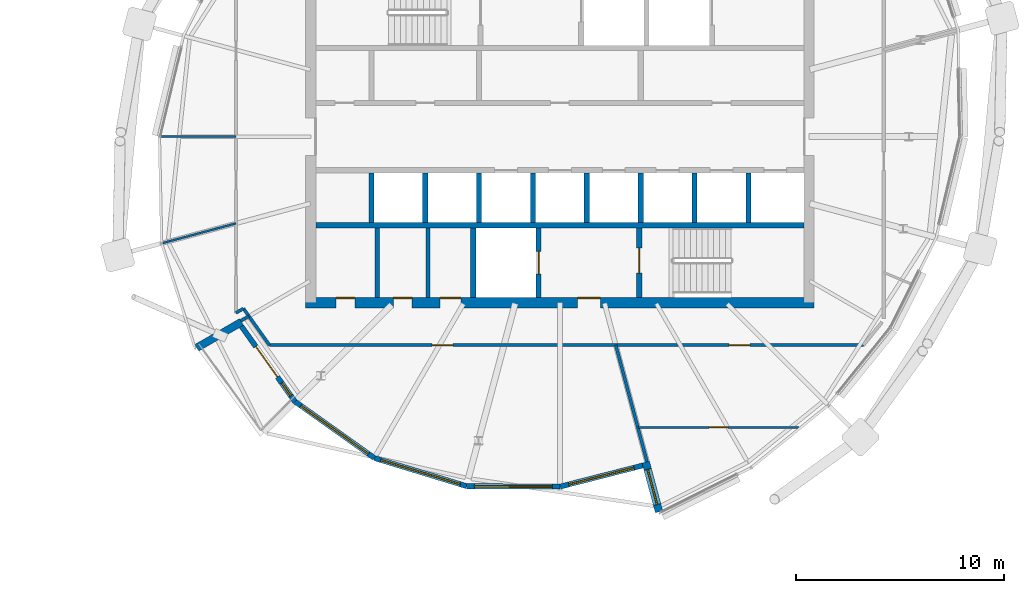
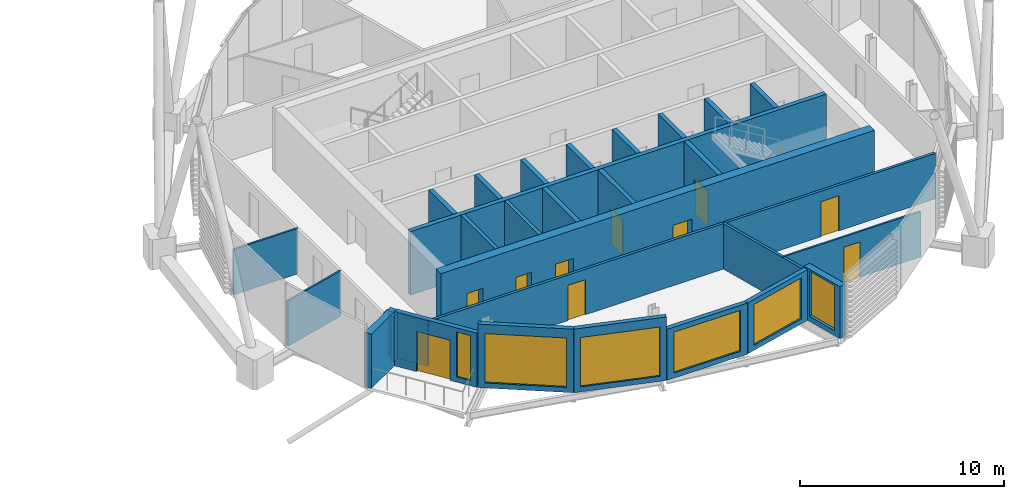
# One storey, part 22 of 32: 30 walls, 10 doors, 6 windows, 16 openings.
"""IFC4 building model written with IfcOpenShell, lengths in metres."""

from ifc_helpers import new_model, si_unit, direction, frame, frame_2d, origin, place, context, subcontext, project, spatial, rectangle, extrude, material, layer, layer_set, type_object, element, fill, save


model = new_model("IFC4")

# Units and contexts
model_context = context("Model", 3, precision=1e-05, world=origin(), true_north=direction((0.0, 1.0)))
body_context = subcontext(model_context, "Body", "Model", "MODEL_VIEW")
ifc_project = project(units=[si_unit("LENGTHUNIT", "METRE"), si_unit("AREAUNIT", "SQUARE_METRE"), si_unit("VOLUMEUNIT", "CUBIC_METRE"), si_unit("PLANEANGLEUNIT", "RADIAN"), si_unit("MASSUNIT", "GRAM", prefix="KILO")], contexts=[model_context])

# Site, building, storey
site_placement = place(None, origin())
site = spatial("IfcSite", under=ifc_project, at=site_placement, CompositionType="ELEMENT")
building_placement = place(site_placement, origin())
building = spatial("IfcBuilding", under=site, at=building_placement, Name="Rimbun Link Towers", CompositionType="ELEMENT")
storey_placement = place(building_placement, frame((0.0, 0.0, 233.300048828125)))
storey = spatial("IfcBuildingStorey", under=building, at=storey_placement, Name="L57", CompositionType="ELEMENT", Elevation=233.300048828125)

# Wall, openings, door, window
ifc_material_1 = material(Name="Dark enamelled glass spandrel on insulated aluminium backpan", Category="aluminium")
ifc_layer_1 = layer(ifc_material_1, 0.25)
ifc_layer_set_1 = layer_set([ifc_layer_1], Name="CS dark enamelled spandrel wall 250")
wall_type_1 = type_object("IfcWallType", Name="CS dark enamelled spandrel wall 250", PredefinedType="STANDARD", material=ifc_layer_set_1)
wall_1_placement = place(storey_placement, frame((18.9853515625, -12.7646484375, 0.0), z_axis=(0.0, 0.0, 1.0), x_axis=(-0.579349370763, 0.81507932534, 0.0)))
wall_1 = element("IfcWall", 1, at=wall_1_placement, inside=storey, type_object=wall_type_1, Name="Crease spandrel wall", PredefinedType="STANDARD", context=body_context, shape_type="SweptSolid", body=[
    extrude(rectangle(XDim=4.442138671875, YDim=0.25, at=frame_2d((2.22119140625, 0.0))), origin(), (0.0, 0.0, 1.0), 3.24365234375),
])
opening_1_placement = place(wall_1_placement, frame((0.3505859375, 0.0, 0.300048828125)))
opening_1 = element("IfcOpeningElement", 2, at=opening_1_placement, cuts=wall_1, Name="Opening WR08H270", PredefinedType="OPENING", context=body_context, shape_type="SweptSolid", body=[
    extrude(rectangle(XDim=0.75, YDim=2.699951171875, at=frame_2d((0.375, 1.35009765625))), frame((0.0, 0.135009765625, 0.0), z_axis=(0.0, -1.0, 0.0), x_axis=(1.0, 0.0, 0.0)), (0.0, 0.0, 1.0), 0.27001953125),
])
opening_2_placement = place(wall_1_placement, frame((1.451171875, 0.0, 0.0)))
opening_2 = element("IfcOpeningElement", 3, at=opening_2_placement, cuts=wall_1, Name="Opening ED84", PredefinedType="OPENING", context=body_context, shape_type="SweptSolid", body=[
    extrude(rectangle(XDim=1.800048828125, YDim=2.39990234375, at=frame_2d((0.89990234375, 1.199951171875))), frame((0.0, 0.135009765625, 0.0), z_axis=(0.0, -1.0, 0.0), x_axis=(1.0, 0.0, 0.0)), (0.0, 0.0, 1.0), 0.27001953125),
])
ifc_material_2 = material(Name="Aluminium framed glazed door, low-iron glass", Category="aluminium")
door_type_1 = type_object("IfcDoorType", Name="ED terrace door double leaf 1800X2400", OperationType="DOUBLE_DOOR_SINGLE_SWING", PredefinedType="DOOR", material=ifc_material_2)
door_1_placement = place(opening_2_placement, origin())
door_1 = element("IfcDoor", 4, at=door_1_placement, inside=storey, type_object=door_type_1, Name="Terrace door", OperationType="SINGLE_SWING_LEFT", OverallHeight=2.39990234375, OverallWidth=1.800048828125, PredefinedType="DOOR", context=body_context, shape_type="SweptSolid", body=[
    extrude(rectangle(XDim=1.800048828125, YDim=2.39990234375, at=frame_2d((0.89990234375, 1.199951171875))), frame((0.0, 0.02490234375, 0.0), z_axis=(0.0, -1.0, 0.0), x_axis=(1.0, 0.0, 0.0)), (0.0, 0.0, 1.0), 0.050048828125),
])
fill(opening_2, door_1)
ifc_material_3 = material(Name="Aluminium framed fixed window, dark tinted low-e glass", Category="aluminium")
window_type_1 = type_object("IfcWindowType", Name="WR ribbon window 750X2700", PartitioningType="SINGLE_PANEL", PredefinedType="WINDOW", material=ifc_material_3)
window_1_placement = place(opening_1_placement, origin())
window_1 = element("IfcWindow", 5, at=window_1_placement, inside=storey, type_object=window_type_1, Name="Crease ribbon window", OverallHeight=2.699951171875, OverallWidth=0.75, PartitioningType="SINGLE_PANEL", PredefinedType="WINDOW", context=body_context, shape_type="SweptSolid", body=[
    extrude(rectangle(XDim=0.75, YDim=2.699951171875, at=frame_2d((0.375, 1.35009765625))), frame((0.0, 0.030029296875, 0.0), z_axis=(0.0, -1.0, 0.0), x_axis=(1.0, 0.0, 0.0)), (0.0, 0.0, 1.0), 0.06005859375),
])
fill(opening_1, window_1)

# Wall, opening, window
wall_2_placement = place(storey_placement, frame((22.8173828125, -15.488525390625, 0.0), z_axis=(0.0, 0.0, 1.0), x_axis=(-0.815068124379, 0.579365128931, 0.0)))
wall_2 = element("IfcWall", 6, at=wall_2_placement, inside=storey, type_object=wall_type_1, Name="Crease spandrel wall", PredefinedType="STANDARD", context=body_context, shape_type="SweptSolid", body=[
    extrude(rectangle(XDim=4.701416015625, YDim=0.25, at=frame_2d((2.3505859375, 0.0))), origin(), (0.0, 0.0, 1.0), 3.800048828125),
])
opening_3_placement = place(wall_2_placement, frame((0.350830078125, 0.0, 0.300048828125)))
opening_3 = element("IfcOpeningElement", 7, at=opening_3_placement, cuts=wall_2, Name="Opening WR40H295", PredefinedType="OPENING", context=body_context, shape_type="SweptSolid", body=[
    extrude(rectangle(XDim=4.0, YDim=2.949951171875, at=frame_2d((2.0, 1.47509765625))), frame((0.0, 0.135009765625, 0.0), z_axis=(0.0, -1.0, 0.0), x_axis=(1.0, 0.0, 0.0)), (0.0, 0.0, 1.0), 0.27001953125),
])
ifc_material_4 = material(Name="Aluminium framed fixed window, dark tinted low-e glass", Category="aluminium")
window_type_2 = type_object("IfcWindowType", Name="WR ribbon window 4000X2950", PartitioningType="SINGLE_PANEL", PredefinedType="WINDOW", material=ifc_material_4)
window_2_placement = place(opening_3_placement, origin())
window_2 = element("IfcWindow", 8, at=window_2_placement, inside=storey, type_object=window_type_2, Name="Crease ribbon window", OverallHeight=2.949951171875, OverallWidth=4.0, PartitioningType="SINGLE_PANEL", PredefinedType="WINDOW", context=body_context, shape_type="SweptSolid", body=[
    extrude(rectangle(XDim=4.0, YDim=2.949951171875, at=frame_2d((2.0, 1.47509765625))), frame((0.0, 0.030029296875, 0.0), z_axis=(0.0, -1.0, 0.0), x_axis=(1.0, 0.0, 0.0)), (0.0, 0.0, 1.0), 0.06005859375),
])
fill(opening_3, window_2)

wall_3_placement = place(storey_placement, frame((27.252197265625, -16.84033203125, 0.0), z_axis=(0.0, 0.0, 1.0), x_axis=(-0.956548795728, 0.291572291877, 0.0)))
wall_3 = element("IfcWall", 9, at=wall_3_placement, inside=storey, type_object=wall_type_1, Name="Crease spandrel wall", PredefinedType="STANDARD", context=body_context, shape_type="SweptSolid", body=[
    extrude(rectangle(XDim=4.63623046875, YDim=0.25, at=frame_2d((2.318115234375, 0.0))), origin(), (0.0, 0.0, 1.0), 3.800048828125),
])
opening_4_placement = place(wall_3_placement, frame((0.318115234375, 0.0, 0.300048828125)))
opening_4 = element("IfcOpeningElement", 10, at=opening_4_placement, cuts=wall_3, Name="Opening WR40H295", PredefinedType="OPENING", context=body_context, shape_type="SweptSolid", body=[
    extrude(rectangle(XDim=4.0, YDim=2.949951171875, at=frame_2d((2.0, 1.47509765625))), frame((0.0, 0.135009765625, 0.0), z_axis=(0.0, -1.0, 0.0), x_axis=(1.0, 0.0, 0.0)), (0.0, 0.0, 1.0), 0.27001953125),
])
window_3_placement = place(opening_4_placement, origin())
window_3 = element("IfcWindow", 11, at=window_3_placement, inside=storey, type_object=window_type_2, Name="Crease ribbon window", OverallHeight=2.949951171875, OverallWidth=4.0, PartitioningType="SINGLE_PANEL", PredefinedType="WINDOW", context=body_context, shape_type="SweptSolid", body=[
    extrude(rectangle(XDim=4.0, YDim=2.949951171875, at=frame_2d((2.0, 1.47509765625))), frame((0.0, 0.030029296875, 0.0), z_axis=(0.0, -1.0, 0.0), x_axis=(1.0, 0.0, 0.0)), (0.0, 0.0, 1.0), 0.06005859375),
])
fill(opening_4, window_3)

wall_4_placement = place(storey_placement, frame((31.765380859375, -16.86328125, 0.0), z_axis=(0.0, 0.0, 1.0), x_axis=(-0.999987071999, 0.005084863398, 0.0)))
wall_4 = element("IfcWall", 12, at=wall_4_placement, inside=storey, type_object=wall_type_1, Name="Crease spandrel wall", PredefinedType="STANDARD", context=body_context, shape_type="SweptSolid", body=[
    extrude(rectangle(XDim=4.51318359375, YDim=0.25, at=frame_2d((2.256591796875, 0.0))), origin(), (0.0, 0.0, 1.0), 3.04736328125),
])
opening_5_placement = place(wall_4_placement, frame((0.381591796875, 0.0, 0.300048828125)))
opening_5 = element("IfcOpeningElement", 13, at=opening_5_placement, cuts=wall_4, Name="Opening WR38H245", PredefinedType="OPENING", context=body_context, shape_type="SweptSolid", body=[
    extrude(rectangle(XDim=3.75, YDim=2.449951171875, at=frame_2d((1.875, 1.22509765625))), frame((0.0, 0.135009765625, 0.0), z_axis=(0.0, -1.0, 0.0), x_axis=(1.0, 0.0, 0.0)), (0.0, 0.0, 1.0), 0.27001953125),
])
ifc_material_5 = material(Name="Aluminium framed fixed window, dark tinted low-e glass", Category="aluminium")
window_type_3 = type_object("IfcWindowType", Name="WR ribbon window 3750X2450", PartitioningType="SINGLE_PANEL", PredefinedType="WINDOW", material=ifc_material_5)
window_4_placement = place(opening_5_placement, origin())
window_4 = element("IfcWindow", 14, at=window_4_placement, inside=storey, type_object=window_type_3, Name="Crease ribbon window", OverallHeight=2.449951171875, OverallWidth=3.75, PartitioningType="SINGLE_PANEL", PredefinedType="WINDOW", context=body_context, shape_type="SweptSolid", body=[
    extrude(rectangle(XDim=3.75, YDim=2.449951171875, at=frame_2d((1.875, 1.22509765625))), frame((0.0, 0.030029296875, 0.0), z_axis=(0.0, -1.0, 0.0), x_axis=(1.0, 0.0, 0.0)), (0.0, 0.0, 1.0), 0.06005859375),
])
fill(opening_5, window_4)

wall_5_placement = place(storey_placement, frame((35.737548828125, -15.84765625, 0.0), z_axis=(0.0, 0.0, 1.0), x_axis=(-0.96883262214, -0.247716269705, 0.0)))
wall_5 = element("IfcWall", 15, at=wall_5_placement, inside=storey, type_object=wall_type_1, Name="Crease spandrel wall", PredefinedType="STANDARD", context=body_context, shape_type="SweptSolid", body=[
    extrude(rectangle(XDim=4.099853515625, YDim=0.25, at=frame_2d((2.0498046875, 0.0))), origin(), (0.0, 0.0, 1.0), 3.04736328125),
])
opening_6_placement = place(wall_5_placement, frame((0.425048828125, 0.0, 0.300048828125)))
opening_6 = element("IfcOpeningElement", 16, at=opening_6_placement, cuts=wall_5, Name="Opening WR32H245", PredefinedType="OPENING", context=body_context, shape_type="SweptSolid", body=[
    extrude(rectangle(XDim=3.25, YDim=2.449951171875, at=frame_2d((1.625, 1.22509765625))), frame((0.0, 0.135009765625, 0.0), z_axis=(0.0, -1.0, 0.0), x_axis=(1.0, 0.0, 0.0)), (0.0, 0.0, 1.0), 0.27001953125),
])
ifc_material_6 = material(Name="Aluminium framed fixed window, dark tinted low-e glass", Category="aluminium")
window_type_4 = type_object("IfcWindowType", Name="WR ribbon window 3250X2450", PartitioningType="SINGLE_PANEL", PredefinedType="WINDOW", material=ifc_material_6)
window_5_placement = place(opening_6_placement, origin())
window_5 = element("IfcWindow", 17, at=window_5_placement, inside=storey, type_object=window_type_4, Name="Crease ribbon window", OverallHeight=2.449951171875, OverallWidth=3.25, PartitioningType="SINGLE_PANEL", PredefinedType="WINDOW", context=body_context, shape_type="SweptSolid", body=[
    extrude(rectangle(XDim=3.25, YDim=2.449951171875, at=frame_2d((1.625, 1.22509765625))), frame((0.0, 0.030029296875, 0.0), z_axis=(0.0, -1.0, 0.0), x_axis=(1.0, 0.0, 0.0)), (0.0, 0.0, 1.0), 0.06005859375),
])
fill(opening_6, window_5)

# Wall
ifc_material_7 = material(Name="Dark enamelled glass spandrel on insulated aluminium backpan", Category="aluminium")
ifc_layer_2 = layer(ifc_material_7, 0.3701171875)
ifc_layer_set_2 = layer_set([ifc_layer_2], Name="CS dark enamelled spandrel wall 370")
wall_type_2 = type_object("IfcWallType", Name="CS dark enamelled spandrel wall 370", PredefinedType="STANDARD", material=ifc_layer_set_2)
wall_6_placement = place(storey_placement, frame((16.40771484375, -8.93310546875, 0.0), z_axis=(0.0, 0.0, 1.0), x_axis=(-0.866023285932, -0.50000366821, 0.0)))
element("IfcWall", 18, at=wall_6_placement, inside=storey, type_object=wall_type_2, Name="Crease spandrel wall", PredefinedType="STANDARD", context=body_context, shape_type="SweptSolid", body=[
    extrude(rectangle(XDim=2.47998046875, YDim=0.3701171875, at=frame_2d((1.239990234375, 0.0))), origin(), (0.0, 0.0, 1.0), 3.24365234375),
])

# Wall, opening, window
wall_7_placement = place(storey_placement, frame((36.5263671875, -18.0771484375, 0.0), z_axis=(0.0, 0.0, 1.0), x_axis=(-0.258808255004, 0.965928717423, 0.0)))
wall_7 = element("IfcWall", 19, at=wall_7_placement, inside=storey, type_object=wall_type_2, Name="Crease spandrel wall", PredefinedType="STANDARD", context=body_context, shape_type="SweptSolid", body=[
    extrude(rectangle(XDim=2.47998046875, YDim=0.3701171875, at=frame_2d((1.239990234375, 0.0))), origin(), (0.0, 0.0, 1.0), 3.116943359375),
])
opening_7_placement = place(wall_7_placement, frame((0.364990234375, 0.0, 0.300048828125)))
opening_7 = element("IfcOpeningElement", 20, at=opening_7_placement, cuts=wall_7, Name="Opening WR18H270", PredefinedType="OPENING", context=body_context, shape_type="SweptSolid", body=[
    extrude(rectangle(XDim=1.75, YDim=2.699951171875, at=frame_2d((0.875, 1.35009765625))), frame((0.0, 0.195068359375, 0.0), z_axis=(0.0, -1.0, 0.0), x_axis=(1.0, 0.0, 0.0)), (0.0, 0.0, 1.0), 0.39013671875),
])
ifc_material_8 = material(Name="Aluminium framed fixed window, dark tinted low-e glass", Category="aluminium")
window_type_5 = type_object("IfcWindowType", Name="WR ribbon window 1750X2700", PartitioningType="SINGLE_PANEL", PredefinedType="WINDOW", material=ifc_material_8)
window_6_placement = place(opening_7_placement, origin())
window_6 = element("IfcWindow", 21, at=window_6_placement, inside=storey, type_object=window_type_5, Name="Crease ribbon window", OverallHeight=2.699951171875, OverallWidth=1.75, PartitioningType="SINGLE_PANEL", PredefinedType="WINDOW", context=body_context, shape_type="SweptSolid", body=[
    extrude(rectangle(XDim=1.75, YDim=2.699951171875, at=frame_2d((0.875, 1.35009765625))), frame((0.0, 0.030029296875, 0.0), z_axis=(0.0, -1.0, 0.0), x_axis=(1.0, 0.0, 0.0)), (0.0, 0.0, 1.0), 0.06005859375),
])
fill(opening_7, window_6)

# Walls
ifc_material_9 = material(Name="Masonry blockwork", Category="masonry")
ifc_layer_3 = layer(ifc_material_9, 0.199951171875)
ifc_layer_set_3 = layer_set([ifc_layer_3], Name="Core partition 200")
wall_type_3 = type_object("IfcWallType", Name="Core partition 200", PredefinedType="PARTITIONING", material=ifc_layer_set_3)
for number, where, z_axis, x_axis, name in (
    (22, (22.949951171875, -4.39990234375, 0.0), (0.0, 0.0, 1.0), (0.0, -1.0, 0.0), "L57 T2 core wall C1"),
    (23, (25.39990234375, -4.39990234375, 0.0), (0.0, 0.0, 1.0), (0.0, -1.0, 0.0), "L57 T2 core wall C2"),
):
    element("IfcWall", number, at=place(storey_placement, frame(where, z_axis=z_axis, x_axis=x_axis)), inside=storey, type_object=wall_type_3, Name=name, PredefinedType="PARTITIONING", context=body_context, shape_type="SweptSolid", body=[
        extrude(rectangle(XDim=3.35009765625, YDim=0.199951171875, at=frame_2d((1.675048828125, 0.0))), origin(), (0.0, 0.0, 1.0), 3.800048828125),
    ])

# Wall, openings, doors
ifc_material_10 = material(Name="Concrete C60/75", Category="concrete")
ifc_layer_4 = layer(ifc_material_10, 0.5)
ifc_layer_set_4 = layer_set([ifc_layer_4], Name="Core shear wall 500")
wall_type_4 = type_object("IfcWallType", Name="Core shear wall 500", PredefinedType="SHEAR", material=ifc_layer_set_4)
wall_8_placement = place(storey_placement, frame((19.5, -8.0, 0.0), z_axis=(0.0, 0.0, 1.0), x_axis=(1.0, 0.0, 0.0)))
wall_8 = element("IfcWall", 24, at=wall_8_placement, inside=storey, type_object=wall_type_4, Name="L57 T2 core wall S", PredefinedType="SHEAR", context=body_context, shape_type="SweptSolid", body=[
    extrude(rectangle(XDim=24.5, YDim=0.5, at=frame_2d((12.25, 0.0))), origin(), (0.0, 0.0, 1.0), 3.800048828125),
])
opening_8_placement = place(wall_8_placement, frame((13.10009765625, 0.0, 0.0)))
opening_8 = element("IfcOpeningElement", 25, at=opening_8_placement, cuts=wall_8, Name="Opening C2DCF01S", PredefinedType="OPENING", context=body_context, shape_type="SweptSolid", body=[
    extrude(rectangle(XDim=1.10009765625, YDim=2.10009765625, at=frame_2d((0.550048828125, 1.050048828125))), frame((0.0, 0.260009765625, 0.0), z_axis=(0.0, -1.0, 0.0), x_axis=(1.0, 0.0, 0.0)), (0.0, 0.0, 1.0), 0.52001953125),
])
opening_9_placement = place(wall_8_placement, frame((1.47509765625, 0.0, 0.0)))
opening_9 = element("IfcOpeningElement", 26, at=opening_9_placement, cuts=wall_8, Name="Opening C2DWC02S", PredefinedType="OPENING", context=body_context, shape_type="SweptSolid", body=[
    extrude(rectangle(XDim=0.89990234375, YDim=2.10009765625, at=frame_2d((0.449951171875, 1.050048828125))), frame((0.0, 0.260009765625, 0.0), z_axis=(0.0, -1.0, 0.0), x_axis=(1.0, 0.0, 0.0)), (0.0, 0.0, 1.0), 0.52001953125),
])
opening_10_placement = place(wall_8_placement, frame((4.22509765625, 0.0, 0.0)))
opening_10 = element("IfcOpeningElement", 27, at=opening_10_placement, cuts=wall_8, Name="Opening C2DWC03S", PredefinedType="OPENING", context=body_context, shape_type="SweptSolid", body=[
    extrude(rectangle(XDim=0.89990234375, YDim=2.10009765625, at=frame_2d((0.449951171875, 1.050048828125))), frame((0.0, 0.260009765625, 0.0), z_axis=(0.0, -1.0, 0.0), x_axis=(1.0, 0.0, 0.0)), (0.0, 0.0, 1.0), 0.52001953125),
])
opening_11_placement = place(wall_8_placement, frame((6.47509765625, 0.0, 0.0)))
opening_11 = element("IfcOpeningElement", 28, at=opening_11_placement, cuts=wall_8, Name="Opening C2DAW04S", PredefinedType="OPENING", context=body_context, shape_type="SweptSolid", body=[
    extrude(rectangle(XDim=1.0, YDim=2.10009765625, at=frame_2d((0.5, 1.050048828125))), frame((0.0, 0.260009765625, 0.0), z_axis=(0.0, -1.0, 0.0), x_axis=(1.0, 0.0, 0.0)), (0.0, 0.0, 1.0), 0.52001953125),
])
ifc_material_11 = material(Name="Timber", Category="wood")
door_type_2 = type_object("IfcDoorType", Name="Accessible WC door", OperationType="SINGLE_SWING_LEFT", PredefinedType="DOOR", material=ifc_material_11)
door_2_placement = place(opening_11_placement, origin())
door_2 = element("IfcDoor", 29, at=door_2_placement, inside=storey, type_object=door_type_2, Name="L57 T2 accessible wc door", OperationType="SINGLE_SWING_RIGHT", OverallHeight=2.10009765625, OverallWidth=1.0, PredefinedType="DOOR", context=body_context, shape_type="SweptSolid", body=[
    extrude(rectangle(XDim=1.0, YDim=2.10009765625, at=frame_2d((0.5, 1.050048828125))), frame((0.0, 0.25, 0.0), z_axis=(0.0, -1.0, 0.0), x_axis=(1.0, 0.0, 0.0)), (0.0, 0.0, 1.0), 0.050048828125),
])
fill(opening_11, door_2)
ifc_material_12 = material(Name="Steel fire door set", Category="steel")
door_type_3 = type_object("IfcDoorType", Name="Core fire door single", OperationType="SINGLE_SWING_LEFT", PredefinedType="DOOR", material=ifc_material_12)
door_3_placement = place(opening_8_placement, origin())
door_3 = element("IfcDoor", 30, at=door_3_placement, inside=storey, type_object=door_type_3, Name="L57 T2 firefighting lobby s door", OperationType="SINGLE_SWING_RIGHT", OverallHeight=2.10009765625, OverallWidth=1.10009765625, PredefinedType="DOOR", context=body_context, shape_type="SweptSolid", body=[
    extrude(rectangle(XDim=1.10009765625, YDim=2.10009765625, at=frame_2d((0.550048828125, 1.050048828125))), frame((0.0, 0.25, 0.0), z_axis=(0.0, -1.0, 0.0), x_axis=(1.0, 0.0, 0.0)), (0.0, 0.0, 1.0), 0.050048828125),
])
fill(opening_8, door_3)
ifc_material_13 = material(Name="Timber", Category="wood")
door_type_4 = type_object("IfcDoorType", Name="WC door", OperationType="SINGLE_SWING_LEFT", PredefinedType="DOOR", material=ifc_material_13)
door_4_placement = place(opening_9_placement, origin())
door_4 = element("IfcDoor", 31, at=door_4_placement, inside=storey, type_object=door_type_4, Name="L57 T2 male wc door", OperationType="SINGLE_SWING_RIGHT", OverallHeight=2.10009765625, OverallWidth=0.89990234375, PredefinedType="DOOR", context=body_context, shape_type="SweptSolid", body=[
    extrude(rectangle(XDim=0.89990234375, YDim=2.10009765625, at=frame_2d((0.449951171875, 1.050048828125))), frame((0.0, 0.25, 0.0), z_axis=(0.0, -1.0, 0.0), x_axis=(1.0, 0.0, 0.0)), (0.0, 0.0, 1.0), 0.050048828125),
])
fill(opening_9, door_4)
door_5_placement = place(opening_10_placement, origin())
door_5 = element("IfcDoor", 32, at=door_5_placement, inside=storey, type_object=door_type_4, Name="L57 T2 female wc door", OperationType="SINGLE_SWING_LEFT", OverallHeight=2.10009765625, OverallWidth=0.89990234375, PredefinedType="DOOR", context=body_context, shape_type="SweptSolid", body=[
    extrude(rectangle(XDim=0.89990234375, YDim=2.10009765625, at=frame_2d((0.449951171875, 1.050048828125))), frame((0.0, 0.25, 0.0), z_axis=(0.0, -1.0, 0.0), x_axis=(1.0, 0.0, 0.0)), (0.0, 0.0, 1.0), 0.050048828125),
])
fill(opening_10, door_5)

ifc_material_14 = material(Name="Plasterboard on steel stud, mineral wool", Category="steel")
ifc_layer_5 = layer(ifc_material_14, 0.14990234375)
ifc_layer_set_5 = layer_set([ifc_layer_5], Name="Corridor wall EI 30 150 mm")
wall_type_5 = type_object("IfcWallType", Name="Corridor wall EI 30 150 mm", PredefinedType="PARTITIONING", material=ifc_layer_set_5)
wall_9_placement = place(storey_placement, frame((46.37353515625, -10.044921875, 0.0), z_axis=(0.0, 0.0, 1.0), x_axis=(-1.0, 0.0, 0.0)))
wall_9 = element("IfcWall", 33, at=wall_9_placement, inside=storey, type_object=wall_type_5, Name="Corridor wall EI 30 150 mm", PredefinedType="PARTITIONING", context=body_context, shape_type="SweptSolid", body=[
    extrude(rectangle(XDim=28.615966796875, YDim=0.14990234375, at=frame_2d((14.30810546875, 0.0))), origin(), (0.0, 0.0, 1.0), 2.721923828125),
])
opening_12_placement = place(wall_9_placement, frame((5.466064453125, 0.0, 0.0)))
opening_12 = element("IfcOpeningElement", 34, at=opening_12_placement, cuts=wall_9, Name="Opening D01", PredefinedType="OPENING", context=body_context, shape_type="SweptSolid", body=[
    extrude(rectangle(XDim=1.0, YDim=2.10009765625, at=frame_2d((0.5, 1.050048828125))), frame((0.0, 0.0849609375, 0.0), z_axis=(0.0, -1.0, 0.0), x_axis=(1.0, 0.0, 0.0)), (0.0, 0.0, 1.0), 0.169921875),
])
opening_13_placement = place(wall_9_placement, frame((19.77392578125, 0.0, 0.0)))
opening_13 = element("IfcOpeningElement", 35, at=opening_13_placement, cuts=wall_9, Name="Opening D01", PredefinedType="OPENING", context=body_context, shape_type="SweptSolid", body=[
    extrude(rectangle(XDim=1.0, YDim=2.10009765625, at=frame_2d((0.5, 1.050048828125))), frame((0.0, 0.0849609375, 0.0), z_axis=(0.0, -1.0, 0.0), x_axis=(1.0, 0.0, 0.0)), (0.0, 0.0, 1.0), 0.169921875),
])
ifc_material_15 = material(Name="Fire-resisting timber door leaf", Category="wood")
door_type_5 = type_object("IfcDoorType", Name="Fire door FD30S 1000", OperationType="NOTDEFINED", PredefinedType="DOOR", material=ifc_material_15)
door_6_placement = place(opening_12_placement, origin())
door_6 = element("IfcDoor", 36, at=door_6_placement, inside=storey, type_object=door_type_5, Name="Fire door FD30S 1000 to Reception", OperationType="SINGLE_SWING_LEFT", OverallHeight=2.10009765625, OverallWidth=1.0, PredefinedType="DOOR", context=body_context, shape_type="SweptSolid", body=[
    extrude(rectangle(XDim=1.0, YDim=2.10009765625, at=frame_2d((0.5, 1.050048828125))), frame((0.0, 0.02490234375, 0.0), z_axis=(0.0, -1.0, 0.0), x_axis=(1.0, 0.0, 0.0)), (0.0, 0.0, 1.0), 0.050048828125),
])
fill(opening_12, door_6)
door_7_placement = place(opening_13_placement, origin())
door_7 = element("IfcDoor", 37, at=door_7_placement, inside=storey, type_object=door_type_5, Name="Fire door FD30S 1000 to Terrace office", OperationType="SINGLE_SWING_LEFT", OverallHeight=2.10009765625, OverallWidth=1.0, PredefinedType="DOOR", context=body_context, shape_type="SweptSolid", body=[
    extrude(rectangle(XDim=1.0, YDim=2.10009765625, at=frame_2d((0.5, 1.050048828125))), frame((0.0, 0.02490234375, 0.0), z_axis=(0.0, -1.0, 0.0), x_axis=(1.0, 0.0, 0.0)), (0.0, 0.0, 1.0), 0.050048828125),
])
fill(opening_13, door_7)

# Walls
wall_10_placement = place(storey_placement, frame((16.504638671875, -8.2822265625, 0.0), z_axis=(0.0, 0.0, 1.0), x_axis=(0.579357158971, -0.815073789512, 0.0)))
element("IfcWall", 38, at=wall_10_placement, inside=storey, type_object=wall_type_5, Name="Corridor wall EI 30 150 mm", PredefinedType="PARTITIONING", context=body_context, shape_type="SweptSolid", body=[
    extrude(rectangle(XDim=2.16259765625, YDim=0.14990234375, at=frame_2d((1.081298828125, 0.0))), origin(), (0.0, 0.0, 1.0), 2.721923828125),
])
wall_11_placement = place(storey_placement, frame((16.14501953125, -8.489990234375, 0.0), z_axis=(0.0, 0.0, 1.0), x_axis=(0.86588204838, 0.500248216681, 0.0)))
element("IfcWall", 39, at=wall_11_placement, inside=storey, type_object=wall_type_5, Name="Corridor wall EI 30 150 mm", PredefinedType="PARTITIONING", context=body_context, shape_type="SweptSolid", body=[
    extrude(rectangle(XDim=0.415283203125, YDim=0.14990234375, at=frame_2d((0.20751953125, 0.0))), origin(), (0.0, 0.0, 1.0), 2.721923828125),
])

# Wall, opening, door
ifc_material_16 = material(Name="Plasterboard on steel stud", Category="steel")
ifc_layer_6 = layer(ifc_material_16, 0.10009765625)
ifc_layer_set_6 = layer_set([ifc_layer_6], Name="Plasterboard partition 100 mm")
wall_type_6 = type_object("IfcWallType", Name="Plasterboard partition 100 mm", PredefinedType="PARTITIONING", material=ifc_layer_set_6)
wall_12_placement = place(storey_placement, frame((43.2744140625, -14.0048828125, 0.0), z_axis=(0.0, 0.0, 1.0), x_axis=(-1.0, 0.0, 0.0)))
wall_12 = element("IfcWall", 40, at=wall_12_placement, inside=storey, type_object=wall_type_6, Name="Plasterboard partition 100 mm", PredefinedType="PARTITIONING", context=body_context, shape_type="SweptSolid", body=[
    extrude(rectangle(XDim=7.771728515625, YDim=0.10009765625, at=frame_2d((3.8857421875, 0.0))), origin(), (0.0, 0.0, 1.0), 2.721923828125),
])
opening_14_placement = place(wall_12_placement, frame((3.435791015625, 0.0, 0.0)))
opening_14 = element("IfcOpeningElement", 41, at=opening_14_placement, cuts=wall_12, Name="Opening D04", PredefinedType="OPENING", context=body_context, shape_type="SweptSolid", body=[
    extrude(rectangle(XDim=0.89990234375, YDim=2.10009765625, at=frame_2d((0.449951171875, 1.050048828125))), frame((0.0, 0.06005859375, 0.0), z_axis=(0.0, -1.0, 0.0), x_axis=(1.0, 0.0, 0.0)), (0.0, 0.0, 1.0), 0.1201171875),
])
ifc_material_17 = material(Name="Timber door leaf", Category="wood")
door_type_6 = type_object("IfcDoorType", Name="Flush door 900", OperationType="NOTDEFINED", PredefinedType="DOOR", material=ifc_material_17)
door_8_placement = place(opening_14_placement, origin())
door_8 = element("IfcDoor", 42, at=door_8_placement, inside=storey, type_object=door_type_6, Name="Flush door 900 to Executive office", OperationType="SINGLE_SWING_RIGHT", OverallHeight=2.10009765625, OverallWidth=0.89990234375, PredefinedType="DOOR", context=body_context, shape_type="SweptSolid", body=[
    extrude(rectangle(XDim=0.89990234375, YDim=2.10009765625, at=frame_2d((0.449951171875, 1.050048828125))), frame((0.0, 0.02490234375, 0.0), z_axis=(0.0, -1.0, 0.0), x_axis=(1.0, 0.0, 0.0)), (0.0, 0.0, 1.0), 0.050048828125),
])
fill(opening_14, door_8)

# Walls
wall_13_placement = place(storey_placement, frame((12.51171875, 0.0, 0.0), z_axis=(0.0, 0.0, 1.0), x_axis=(1.0, 0.0, 0.0)))
element("IfcWall", 43, at=wall_13_placement, inside=storey, type_object=wall_type_6, Name="Plasterboard partition 100 mm", PredefinedType="PARTITIONING", context=body_context, shape_type="SweptSolid", body=[
    extrude(rectangle(XDim=3.63330078125, YDim=0.10009765625, at=frame_2d((1.816650390625, 0.0))), origin(), (0.0, 0.0, 1.0), 2.721923828125),
])
wall_14_placement = place(storey_placement, frame((12.61962890625, -5.1259765625, 0.0), z_axis=(0.0, 0.0, 1.0), x_axis=(0.965928942389, 0.258807415381, 0.0)))
element("IfcWall", 44, at=wall_14_placement, inside=storey, type_object=wall_type_6, Name="Plasterboard partition 100 mm", PredefinedType="PARTITIONING", context=body_context, shape_type="SweptSolid", body=[
    extrude(rectangle(XDim=3.649658203125, YDim=0.10009765625, at=frame_2d((1.82470703125, 0.0))), origin(), (0.0, 0.0, 1.0), 2.721923828125),
])
ifc_material_18 = material(Name="Concrete C60/75", Category="concrete")
ifc_layer_7 = layer(ifc_material_18, 0.25)
ifc_layer_set_7 = layer_set([ifc_layer_7], Name="Shaft wall 250")
wall_type_7 = type_object("IfcWallType", Name="Shaft wall 250", PredefinedType="SHEAR", material=ifc_layer_set_7)
wall_15_placement = place(storey_placement, frame((20.0, -4.27490234375, 0.0), z_axis=(0.0, 0.0, 1.0), x_axis=(1.0, 0.0, 0.0)))
element("IfcWall", 45, at=wall_15_placement, inside=storey, type_object=wall_type_7, Name="L57 T2 core wall BS", PredefinedType="SHEAR", context=body_context, shape_type="SweptSolid", body=[
    extrude(rectangle(XDim=23.5, YDim=0.25, at=frame_2d((11.75, 0.0))), origin(), (0.0, 0.0, 1.0), 3.800048828125),
])
for number, where, z_axis, x_axis, name in (
    (46, (22.66943359375, -4.14990234375, 0.0), (0.0, 0.0, 1.0), (0.0, 1.0, 0.0), "L57 T2 core wall DS0"),
    (47, (25.263916015625, -4.14990234375, 0.0), (0.0, 0.0, 1.0), (0.0, 1.0, 0.0), "L57 T2 core wall DS1"),
    (48, (27.8583984375, -4.14990234375, 0.0), (0.0, 0.0, 1.0), (0.0, 1.0, 0.0), "L57 T2 core wall DS2"),
    (49, (30.452880859375, -4.14990234375, 0.0), (0.0, 0.0, 1.0), (0.0, 1.0, 0.0), "L57 T2 core wall DS3"),
    (50, (33.047119140625, -4.14990234375, 0.0), (0.0, 0.0, 1.0), (0.0, 1.0, 0.0), "L57 T2 core wall DS4"),
    (51, (35.6416015625, -4.14990234375, 0.0), (0.0, 0.0, 1.0), (0.0, 1.0, 0.0), "L57 T2 core wall DS5"),
    (52, (38.236083984375, -4.14990234375, 0.0), (0.0, 0.0, 1.0), (0.0, 1.0, 0.0), "L57 T2 core wall DS6"),
    (53, (40.83056640625, -4.14990234375, 0.0), (0.0, 0.0, 1.0), (0.0, 1.0, 0.0), "L57 T2 core wall DS7"),
):
    element("IfcWall", number, at=place(storey_placement, frame(where, z_axis=z_axis, x_axis=x_axis)), inside=storey, type_object=wall_type_7, Name=name, PredefinedType="SHEAR", context=body_context, shape_type="SweptSolid", body=[
        extrude(rectangle(XDim=2.39990234375, YDim=0.25, at=frame_2d((1.199951171875, 0.0))), origin(), (0.0, 0.0, 1.0), 3.800048828125),
    ])

# Wall, opening, door
wall_16_placement = place(storey_placement, frame((35.574951171875, -4.39990234375, 0.0), z_axis=(0.0, 0.0, 1.0), x_axis=(0.0, -1.0, 0.0)))
wall_16 = element("IfcWall", 54, at=wall_16_placement, inside=storey, type_object=wall_type_7, Name="L57 T2 core wall B1", PredefinedType="SHEAR", context=body_context, shape_type="SweptSolid", body=[
    extrude(rectangle(XDim=3.35009765625, YDim=0.25, at=frame_2d((1.675048828125, 0.0))), origin(), (0.0, 0.0, 1.0), 3.800048828125),
])
opening_15_placement = place(wall_16_placement, frame((0.97509765625, 0.0, 0.0)))
opening_15 = element("IfcOpeningElement", 55, at=opening_15_placement, cuts=wall_16, Name="Opening C2DST01B1", PredefinedType="OPENING", context=body_context, shape_type="SweptSolid", body=[
    extrude(rectangle(XDim=1.199951171875, YDim=2.10009765625, at=frame_2d((0.60009765625, 1.050048828125))), frame((0.0, 0.135009765625, 0.0), z_axis=(0.0, -1.0, 0.0), x_axis=(1.0, 0.0, 0.0)), (0.0, 0.0, 1.0), 0.27001953125),
])
ifc_material_19 = material(Name="Steel fire door set", Category="steel")
door_type_7 = type_object("IfcDoorType", Name="Stair door", OperationType="SINGLE_SWING_LEFT", PredefinedType="DOOR", material=ifc_material_19)
door_9_placement = place(opening_15_placement, origin())
door_9 = element("IfcDoor", 56, at=door_9_placement, inside=storey, type_object=door_type_7, Name="L57 T2 stair b door", OperationType="SINGLE_SWING_RIGHT", OverallHeight=2.10009765625, OverallWidth=1.199951171875, PredefinedType="DOOR", context=body_context, shape_type="SweptSolid", body=[
    extrude(rectangle(XDim=1.199951171875, YDim=2.10009765625, at=frame_2d((0.60009765625, 1.050048828125))), frame((0.0, 0.02490234375, 0.0), z_axis=(0.0, -1.0, 0.0), x_axis=(1.0, 0.0, 0.0)), (0.0, 0.0, 1.0), 0.050048828125),
])
fill(opening_15, door_9)

wall_17_placement = place(storey_placement, frame((30.72509765625, -4.39990234375, 0.0), z_axis=(0.0, 0.0, 1.0), x_axis=(0.0, -1.0, 0.0)))
wall_17 = element("IfcWall", 57, at=wall_17_placement, inside=storey, type_object=wall_type_7, Name="L57 T2 core wall B2", PredefinedType="SHEAR", context=body_context, shape_type="SweptSolid", body=[
    extrude(rectangle(XDim=3.35009765625, YDim=0.25, at=frame_2d((1.675048828125, 0.0))), origin(), (0.0, 0.0, 1.0), 3.800048828125),
])
opening_16_placement = place(wall_17_placement, frame((1.125, 0.0, 0.0)))
opening_16 = element("IfcOpeningElement", 58, at=opening_16_placement, cuts=wall_17, Name="Opening LD-T2-FF2", PredefinedType="OPENING", context=body_context, shape_type="SweptSolid", body=[
    extrude(rectangle(XDim=1.10009765625, YDim=2.10009765625, at=frame_2d((0.550048828125, 1.050048828125))), frame((0.0, 0.135009765625, 0.0), z_axis=(0.0, -1.0, 0.0), x_axis=(1.0, 0.0, 0.0)), (0.0, 0.0, 1.0), 0.27001953125),
])
ifc_material_20 = material(Name="Stainless steel grade 316", Category="steel")
door_type_8 = type_object("IfcDoorType", Name="Lift landing door", OperationType="DOUBLE_DOOR_SLIDING", PredefinedType="DOOR", material=ifc_material_20)
door_10_placement = place(opening_16_placement, origin())
door_10 = element("IfcDoor", 59, at=door_10_placement, inside=storey, type_object=door_type_8, Name="L57 T2 lift FF2 landing door", OperationType="DOUBLE_DOOR_SLIDING", OverallHeight=2.10009765625, OverallWidth=1.10009765625, PredefinedType="DOOR", context=body_context, shape_type="SweptSolid", body=[
    extrude(rectangle(XDim=1.10009765625, YDim=2.10009765625, at=frame_2d((0.550048828125, 1.050048828125))), frame((0.0, 0.02490234375, 0.0), z_axis=(0.0, -1.0, 0.0), x_axis=(1.0, 0.0, 0.0)), (0.0, 0.0, 1.0), 0.050048828125),
])
fill(opening_16, door_10)

# Walls
wall_18_placement = place(storey_placement, frame((27.574951171875, -4.39990234375, 0.0), z_axis=(0.0, 0.0, 1.0), x_axis=(0.0, -1.0, 0.0)))
element("IfcWall", 60, at=wall_18_placement, inside=storey, type_object=wall_type_7, Name="L57 T2 core wall B3", PredefinedType="SHEAR", context=body_context, shape_type="SweptSolid", body=[
    extrude(rectangle(XDim=3.35009765625, YDim=0.25, at=frame_2d((1.675048828125, 0.0))), origin(), (0.0, 0.0, 1.0), 3.800048828125),
])
ifc_material_21 = material(Name="Plasterboard on steel stud, mineral wool", Category="steel")
ifc_layer_8 = layer(ifc_material_21, 0.14990234375)
ifc_layer_set_8 = layer_set([ifc_layer_8], Name="Tenancy separation wall EI 60 150 mm")
wall_type_8 = type_object("IfcWallType", Name="Tenancy separation wall EI 60 150 mm", PredefinedType="PARTITIONING", material=ifc_layer_set_8)
wall_19_placement = place(storey_placement, frame((16.7666015625, -8.650634765625, 0.0), z_axis=(0.0, 0.0, 1.0), x_axis=(-0.866041729639, -0.499971721724, 0.0)))
element("IfcWall", 61, at=wall_19_placement, inside=storey, type_object=wall_type_8, Name="Tenancy separation wall EI 60 150 mm", PredefinedType="PARTITIONING", context=body_context, shape_type="SweptSolid", body=[
    extrude(rectangle(XDim=0.4521484375, YDim=0.14990234375, at=frame_2d((0.22607421875, 0.0))), origin(), (0.0, 0.0, 1.0), 2.721923828125),
])
wall_20_placement = place(storey_placement, frame((34.44140625, -10.044921875, 0.0), z_axis=(0.0, 0.0, 1.0), x_axis=(0.258861231305, -0.965914521543, 0.0)))
element("IfcWall", 62, at=wall_20_placement, inside=storey, type_object=wall_type_8, Name="Tenancy separation wall EI 60 150 mm", PredefinedType="PARTITIONING", context=body_context, shape_type="SweptSolid", body=[
    extrude(rectangle(XDim=5.818115234375, YDim=0.14990234375, at=frame_2d((2.9091796875, 0.0))), origin(), (0.0, 0.0, 1.0), 2.721923828125),
])

save(model, "model.ifc")
